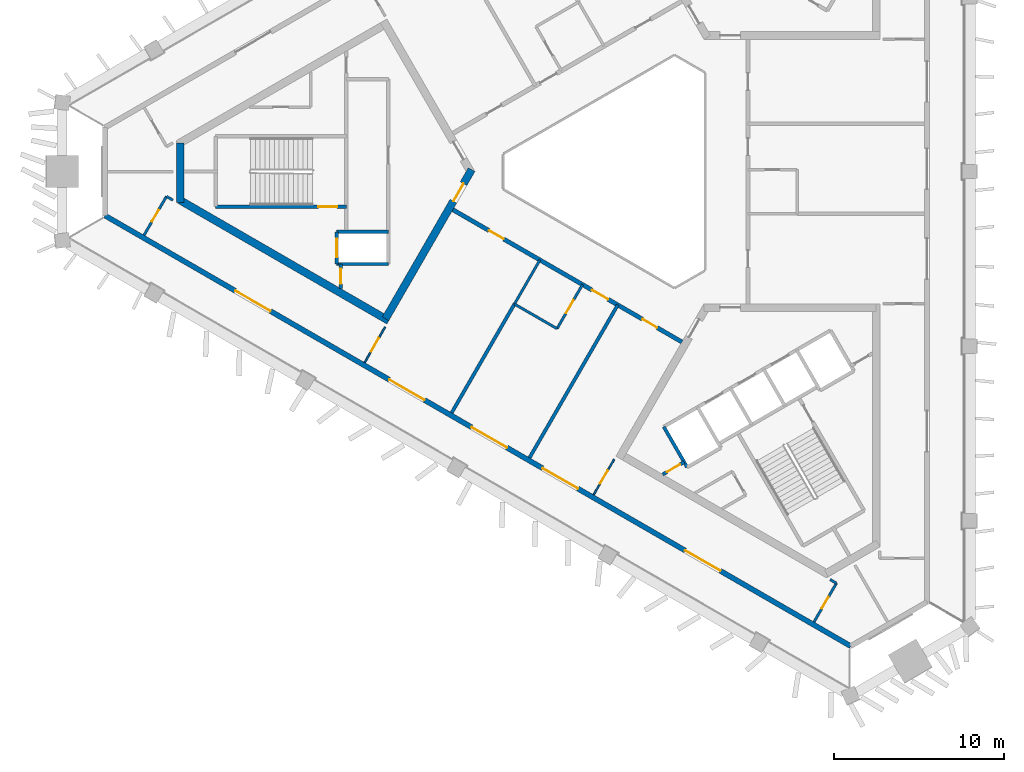
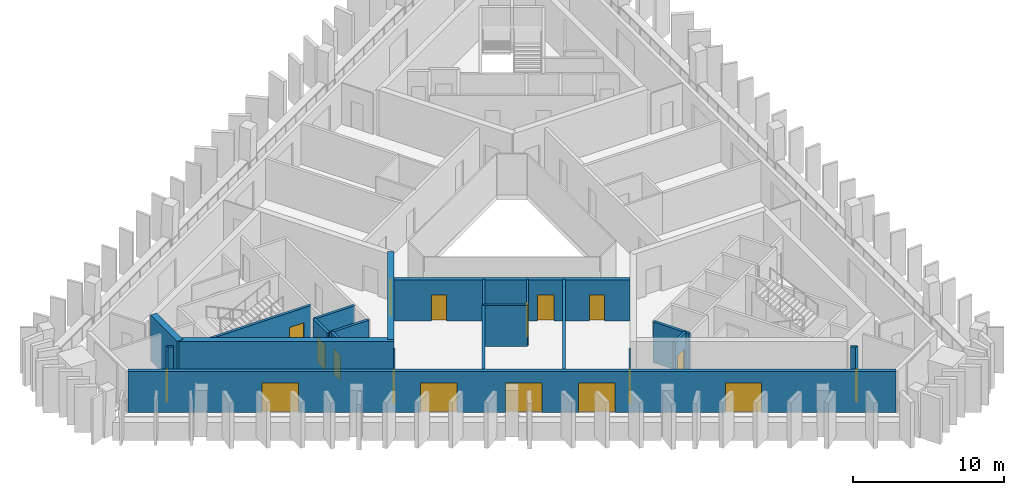
# One storey, part 2 of 9: 23 walls, 18 doors, 18 openings.
"""IFC4 building model written with IfcOpenShell, lengths in metres."""

from ifc_helpers import new_model, si_unit, direction, frame, frame_2d, origin, place, context, subcontext, project, spatial, rectangle, extrude, material, layer, layer_set, type_object, element, fill, save


model = new_model("IFC4")

# Units and contexts
model_context = context("Model", 3, precision=1e-05, world=origin(), true_north=direction((0.0, 1.0)))
body_context = subcontext(model_context, "Body", "Model", "MODEL_VIEW")
ifc_project = project(units=[si_unit("LENGTHUNIT", "METRE"), si_unit("AREAUNIT", "SQUARE_METRE"), si_unit("VOLUMEUNIT", "CUBIC_METRE"), si_unit("PLANEANGLEUNIT", "RADIAN"), si_unit("MASSUNIT", "GRAM", prefix="KILO")], contexts=[model_context])

# Site, building, storey
site_placement = place(None, origin())
site = spatial("IfcSite", under=ifc_project, at=site_placement, CompositionType="ELEMENT")
building_placement = place(site_placement, origin())
building = spatial("IfcBuilding", under=site, at=building_placement, Name="Jabali Bay Hotel Tower and Convention Centre", CompositionType="ELEMENT")
storey_placement = place(building_placement, frame((0.0, 0.0, 220.60009765625)))
storey = spatial("IfcBuildingStorey", under=building, at=storey_placement, Name="L54", CompositionType="ELEMENT", Elevation=220.60009765625)

# Wall, opening, door
ifc_material_1 = material(Name="Concrete C40", Category="concrete")
ifc_layer_1 = layer(ifc_material_1, 0.199951171875)
ifc_layer_set_1 = layer_set([ifc_layer_1], Name="Concrete C40")
wall_type_1 = type_object("IfcWallType", Name="Core partition wall 200", PredefinedType="PARTITIONING", material=ifc_layer_set_1)
wall_1_placement = place(storey_placement, frame((58.10009765625, 74.550048828125, 0.0), z_axis=(0.0, 0.0, 1.0), x_axis=(0.0, -1.0, 0.0)))
wall_1 = element("IfcWall", 1, at=wall_1_placement, inside=storey, type_object=wall_type_1, Name="Core wall 0.9 L54", PredefinedType="PARTITIONING", context=body_context, shape_type="SweptSolid", body=[
    extrude(rectangle(XDim=1.455078125, YDim=0.199951171875, at=frame_2d((0.7275390625, 0.0))), origin(), (0.0, 0.0, 1.0), 3.2998046875),
])
opening_1_placement = place(wall_1_placement, frame((0.277587890625, 0.0, 0.0)))
opening_1 = element("IfcOpeningElement", 2, at=opening_1_placement, cuts=wall_1, Name="Opening D1167", PredefinedType="OPENING", context=body_context, shape_type="SweptSolid", body=[
    extrude(rectangle(XDim=0.89990234375, YDim=2.10009765625, at=frame_2d((0.449951171875, 1.050048828125))), frame((0.0, 0.1103515625, 0.0), z_axis=(0.0, -1.0, 0.0), x_axis=(1.0, 0.0, 0.0)), (0.0, 0.0, 1.0), 0.220947265625),
])
ifc_material_2 = material(Name="Fire-rated steel door", Category="steel")
door_type_1 = type_object("IfcDoorType", Name="Vestibule fire door 900 x 2100", OperationType="NOTDEFINED", PredefinedType="NOTDEFINED", material=ifc_material_2)
door_1_placement = place(opening_1_placement, origin())
door_1 = element("IfcDoor", 3, at=door_1_placement, inside=storey, type_object=door_type_1, Name="Vestibule fire door D1167", OperationType="SINGLE_SWING_LEFT", OverallHeight=2.10009765625, OverallWidth=0.89990234375, PredefinedType="NOTDEFINED", context=body_context, shape_type="SweptSolid", body=[
    extrude(rectangle(XDim=0.89990234375, YDim=2.10009765625, at=frame_2d((0.449951171875, 1.050048828125))), frame((0.0, 0.02490234375, 0.0), z_axis=(0.0, -1.0, 0.0), x_axis=(1.0, 0.0, 0.0)), (0.0, 0.0, 1.0), 0.050048828125),
])
fill(opening_1, door_1)

wall_2_placement = place(storey_placement, frame((77.070068359375, 62.142578125, 0.0), z_axis=(0.0, 0.0, 1.0), x_axis=(0.866013036001, 0.500021421018, 0.0)))
wall_2 = element("IfcWall", 4, at=wall_2_placement, inside=storey, type_object=wall_type_1, Name="Core wall 2.11 L54", PredefinedType="PARTITIONING", context=body_context, shape_type="SweptSolid", body=[
    extrude(rectangle(XDim=1.4609375, YDim=0.199951171875, at=frame_2d((0.73046875, 0.0))), origin(), (0.0, 0.0, 1.0), 3.2998046875),
])
opening_2_placement = place(wall_2_placement, frame((0.280517578125, 0.0, 0.0)))
opening_2 = element("IfcOpeningElement", 5, at=opening_2_placement, cuts=wall_2, Name="Opening D1184", PredefinedType="OPENING", context=body_context, shape_type="SweptSolid", body=[
    extrude(rectangle(XDim=0.89990234375, YDim=2.10009765625, at=frame_2d((0.449951171875, 1.050048828125))), frame((0.0, 0.1103515625, 0.0), z_axis=(0.0, -1.0, 0.0), x_axis=(1.0, 0.0, 0.0)), (0.0, 0.0, 1.0), 0.220947265625),
])
door_2_placement = place(opening_2_placement, origin())
door_2 = element("IfcDoor", 6, at=door_2_placement, inside=storey, type_object=door_type_1, Name="Vestibule fire door D1184", OperationType="SINGLE_SWING_LEFT", OverallHeight=2.10009765625, OverallWidth=0.89990234375, PredefinedType="NOTDEFINED", context=body_context, shape_type="SweptSolid", body=[
    extrude(rectangle(XDim=0.89990234375, YDim=2.10009765625, at=frame_2d((0.449951171875, 1.050048828125))), frame((0.0, 0.02490234375, 0.0), z_axis=(0.0, -1.0, 0.0), x_axis=(1.0, 0.0, 0.0)), (0.0, 0.0, 1.0), 0.050048828125),
])
fill(opening_2, door_2)

ifc_layer_2 = layer(ifc_material_1, 0.199951171875)
ifc_layer_set_2 = layer_set([ifc_layer_2], Name="Concrete C40")
wall_type_2 = type_object("IfcWallType", Name="Core stair wall 200", PredefinedType="SOLIDWALL", material=ifc_layer_set_2)
wall_3_placement = place(storey_placement, frame((58.419921875, 77.925048828125, 0.0), z_axis=(0.0, 0.0, 1.0), x_axis=(-1.0, 0.0, 0.0)))
wall_3 = element("IfcWall", 7, at=wall_3_placement, inside=storey, type_object=wall_type_2, Name="Core wall 0.4 L54", PredefinedType="SOLIDWALL", context=body_context, shape_type="SweptSolid", body=[
    extrude(rectangle(XDim=7.699951171875, YDim=0.199951171875, at=frame_2d((3.85009765625, 0.0))), origin(), (0.0, 0.0, 1.0), 3.2998046875),
])
opening_3_placement = place(wall_3_placement, frame((0.550048828125, 0.0, 0.0)))
opening_3 = element("IfcOpeningElement", 8, at=opening_3_placement, cuts=wall_3, Name="Opening D1169", PredefinedType="OPENING", context=body_context, shape_type="SweptSolid", body=[
    extrude(rectangle(XDim=1.10009765625, YDim=2.10009765625, at=frame_2d((0.550048828125, 1.050048828125))), frame((0.0, 0.1103515625, 0.0), z_axis=(0.0, -1.0, 0.0), x_axis=(1.0, 0.0, 0.0)), (0.0, 0.0, 1.0), 0.220947265625),
])
door_type_2 = type_object("IfcDoorType", Name="Stair fire door 1100 x 2100", OperationType="NOTDEFINED", PredefinedType="NOTDEFINED", material=ifc_material_2)
door_3_placement = place(opening_3_placement, origin())
door_3 = element("IfcDoor", 9, at=door_3_placement, inside=storey, type_object=door_type_2, Name="Stair fire door D1169", OperationType="SINGLE_SWING_RIGHT", OverallHeight=2.10009765625, OverallWidth=1.10009765625, PredefinedType="NOTDEFINED", context=body_context, shape_type="SweptSolid", body=[
    extrude(rectangle(XDim=1.10009765625, YDim=2.10009765625, at=frame_2d((0.550048828125, 1.050048828125))), frame((0.0, 0.02490234375, 0.0), z_axis=(0.0, -1.0, 0.0), x_axis=(1.0, 0.0, 0.0)), (0.0, 0.0, 1.0), 0.050048828125),
])
fill(opening_3, door_3)

# Walls
for number, where, z_axis, x_axis, name in (
    (10, (60.89990234375, 76.449951171875, 0.0), (0.0, 0.0, 1.0), (-1.0, 0.0, 0.0), "Core wall 0.5 L54"),
    (11, (60.89990234375, 74.550048828125, 0.0), (0.0, 0.0, 1.0), (-1.0, 0.0, 0.0), "Core wall 0.6 L54"),
):
    element("IfcWall", number, at=place(storey_placement, frame(where, z_axis=z_axis, x_axis=x_axis)), inside=storey, type_object=wall_type_2, Name=name, PredefinedType="SOLIDWALL", context=body_context, shape_type="SweptSolid", body=[
        extrude(rectangle(XDim=3.0498046875, YDim=0.199951171875, at=frame_2d((1.52490234375, 0.0))), origin(), (0.0, 0.0, 1.0), 3.2998046875),
    ])

# Wall, opening, door
wall_4_placement = place(storey_placement, frame((57.85009765625, 76.449951171875, 0.0), z_axis=(0.0, 0.0, 1.0), x_axis=(0.0, -1.0, 0.0)))
wall_4 = element("IfcWall", 12, at=wall_4_placement, inside=storey, type_object=wall_type_2, Name="Core wall 0.10 L54", PredefinedType="SOLIDWALL", context=body_context, shape_type="SweptSolid", body=[
    extrude(rectangle(XDim=1.89990234375, YDim=0.199951171875, at=frame_2d((0.949951171875, 0.0))), origin(), (0.0, 0.0, 1.0), 3.2998046875),
])
opening_4_placement = place(wall_4_placement, frame((0.39990234375, 0.0, 0.0)))
opening_4 = element("IfcOpeningElement", 13, at=opening_4_placement, cuts=wall_4, Name="Opening LD5-L54", PredefinedType="OPENING", context=body_context, shape_type="SweptSolid", body=[
    extrude(rectangle(XDim=1.10009765625, YDim=2.10009765625, at=frame_2d((0.550048828125, 1.050048828125))), frame((0.0, 0.1103515625, 0.0), z_axis=(0.0, -1.0, 0.0), x_axis=(1.0, 0.0, 0.0)), (0.0, 0.0, 1.0), 0.220947265625),
])
ifc_material_3 = material(Name="Stainless steel landing door", Category="steel")
door_type_3 = type_object("IfcDoorType", Name="Landing door 1100 x 2100", OperationType="NOTDEFINED", PredefinedType="NOTDEFINED", material=ifc_material_3)
door_4_placement = place(opening_4_placement, origin())
door_4 = element("IfcDoor", 14, at=door_4_placement, inside=storey, type_object=door_type_3, Name="Landing doors LD5-L54", OperationType="SLIDING_TO_RIGHT", OverallHeight=2.10009765625, OverallWidth=1.10009765625, PredefinedType="NOTDEFINED", context=body_context, shape_type="SweptSolid", body=[
    extrude(rectangle(XDim=1.10009765625, YDim=2.10009765625, at=frame_2d((0.550048828125, 1.050048828125))), frame((0.0, 0.02490234375, 0.0), z_axis=(0.0, -1.0, 0.0), x_axis=(1.0, 0.0, 0.0)), (0.0, 0.0, 1.0), 0.050048828125),
])
fill(opening_4, door_4)

# Walls
wall_5_placement = place(storey_placement, frame((77.13525390625, 64.95166015625, 0.0), z_axis=(0.0, 0.0, 1.0), x_axis=(0.499996545922, -0.866027397988, 0.0)))
element("IfcWall", 15, at=wall_5_placement, inside=storey, type_object=wall_type_2, Name="Core wall 2.0 L54", PredefinedType="SOLIDWALL", context=body_context, shape_type="SweptSolid", body=[
    extrude(rectangle(XDim=2.75, YDim=0.199951171875, at=frame_2d((1.375, 0.0))), origin(), (0.0, 0.0, 1.0), 3.2998046875),
])
ifc_material_4 = material(Name="Concrete C60", Category="concrete")
ifc_layer_3 = layer(ifc_material_4, 0.449951171875)
ifc_layer_set_3 = layer_set([ifc_layer_3], Name="Concrete C60")
wall_type_3 = type_object("IfcWallType", Name="Core wall 450", PredefinedType="SHEAR", material=ifc_layer_set_3)
wall_6_placement = place(storey_placement, frame((48.621826171875, 81.692626953125, 0.0), z_axis=(0.0, 0.0, 1.0), x_axis=(0.0, -1.0, 0.0)))
element("IfcWall", 16, at=wall_6_placement, inside=storey, type_object=wall_type_3, Name="Core wall 1.3 L54", PredefinedType="SHEAR", context=body_context, shape_type="SweptSolid", body=[
    extrude(rectangle(XDim=3.515380859375, YDim=0.449951171875, at=frame_2d((1.7578125, 0.0))), origin(), (0.0, 0.0, 1.0), 3.699951171875),
])
wall_7_placement = place(storey_placement, frame((48.621826171875, 78.307373046875, 0.0), z_axis=(0.0, 0.0, 1.0), x_axis=(0.86602701116, -0.499997215934, 0.0)))
element("IfcWall", 17, at=wall_7_placement, inside=storey, type_object=wall_type_3, Name="Core wall 1.4 L54", PredefinedType="SHEAR", context=body_context, shape_type="SweptSolid", body=[
    extrude(rectangle(XDim=14.20361328125, YDim=0.449951171875, at=frame_2d((7.101806640625, 0.0))), origin(), (0.0, 0.0, 1.0), 3.699951171875),
])

# Wall, opening, door
wall_8_placement = place(storey_placement, frame((60.7275390625, 71.318115234375, 0.0), z_axis=(0.0, 0.0, 1.0), x_axis=(0.500012416173, 0.866018235185, 0.0)))
wall_8 = element("IfcWall", 18, at=wall_8_placement, inside=storey, type_object=wall_type_3, Name="Core wall 1.5 L54", PredefinedType="SHEAR", context=body_context, shape_type="SweptSolid", body=[
    extrude(rectangle(XDim=10.155029296875, YDim=0.449951171875, at=frame_2d((5.07763671875, 0.0))), origin(), (0.0, 0.0, 1.0), 3.699951171875),
])
opening_5_placement = place(wall_8_placement, frame((8.0048828125, 0.0, 0.0)))
opening_5 = element("IfcOpeningElement", 19, at=opening_5_placement, cuts=wall_8, Name="Opening D1165", PredefinedType="OPENING", context=body_context, shape_type="SweptSolid", body=[
    extrude(rectangle(XDim=1.199951171875, YDim=2.10009765625, at=frame_2d((0.60009765625, 1.050048828125))), frame((0.0, 0.2353515625, 0.0), z_axis=(0.0, -1.0, 0.0), x_axis=(1.0, 0.0, 0.0)), (0.0, 0.0, 1.0), 0.470947265625),
])
door_type_4 = type_object("IfcDoorType", Name="Corridor end fire door 1200 x 2100", OperationType="NOTDEFINED", PredefinedType="NOTDEFINED", material=ifc_material_2)
door_5_placement = place(opening_5_placement, origin())
door_5 = element("IfcDoor", 20, at=door_5_placement, inside=storey, type_object=door_type_4, Name="Corridor end fire door D1165", OperationType="SINGLE_SWING_LEFT", OverallHeight=2.10009765625, OverallWidth=1.199951171875, PredefinedType="NOTDEFINED", context=body_context, shape_type="SweptSolid", body=[
    extrude(rectangle(XDim=1.199951171875, YDim=2.10009765625, at=frame_2d((0.60009765625, 1.050048828125))), frame((0.0, 0.02490234375, 0.0), z_axis=(0.0, -1.0, 0.0), x_axis=(1.0, 0.0, 0.0)), (0.0, 0.0, 1.0), 0.050048828125),
])
fill(opening_5, door_5)

# Wall, openings, doors
ifc_layer_4 = layer(ifc_material_4, 0.25)
ifc_layer_set_4 = layer_set([ifc_layer_4], Name="Concrete C60")
wall_type_4 = type_object("IfcWallType", Name="Corridor wall 250", PredefinedType="SHEAR", material=ifc_layer_set_4)
wall_9_placement = place(storey_placement, frame((64.699951171875, 77.748291015625, 0.0), z_axis=(0.0, 0.0, 1.0), x_axis=(0.866026492143, -0.499998114903, 0.0)))
wall_9 = element("IfcWall", 21, at=wall_9_placement, inside=storey, type_object=wall_type_4, Name="Corridor wall 3 L54", PredefinedType="SHEAR", context=body_context, shape_type="SweptSolid", body=[
    extrude(rectangle(XDim=15.58837890625, YDim=0.25, at=frame_2d((7.794189453125, 0.0))), origin(), (0.0, 0.0, 1.0), 3.2998046875),
])
opening_6_placement = place(wall_9_placement, frame((2.4619140625, 0.0, 0.0)))
opening_6 = element("IfcOpeningElement", 22, at=opening_6_placement, cuts=wall_9, Name="Opening 5417", PredefinedType="OPENING", context=body_context, shape_type="SweptSolid", body=[
    extrude(rectangle(XDim=1.0, YDim=2.10009765625, at=frame_2d((0.5, 1.050048828125))), frame((0.0, 0.135498046875, 0.0), z_axis=(0.0, -1.0, 0.0), x_axis=(1.0, 0.0, 0.0)), (0.0, 0.0, 1.0), 0.27099609375),
])
opening_7_placement = place(wall_9_placement, frame((9.4736328125, 0.0, 0.0)))
opening_7 = element("IfcOpeningElement", 23, at=opening_7_placement, cuts=wall_9, Name="Opening 5421", PredefinedType="OPENING", context=body_context, shape_type="SweptSolid", body=[
    extrude(rectangle(XDim=1.10009765625, YDim=2.10009765625, at=frame_2d((0.550048828125, 1.050048828125))), frame((0.0, 0.135498046875, 0.0), z_axis=(0.0, -1.0, 0.0), x_axis=(1.0, 0.0, 0.0)), (0.0, 0.0, 1.0), 0.27099609375),
])
opening_8_placement = place(wall_9_placement, frame((12.906005859375, 0.0, 0.0)))
opening_8 = element("IfcOpeningElement", 24, at=opening_8_placement, cuts=wall_9, Name="Opening 5422", PredefinedType="OPENING", context=body_context, shape_type="SweptSolid", body=[
    extrude(rectangle(XDim=1.0, YDim=2.10009765625, at=frame_2d((0.5, 1.050048828125))), frame((0.0, 0.135498046875, 0.0), z_axis=(0.0, -1.0, 0.0), x_axis=(1.0, 0.0, 0.0)), (0.0, 0.0, 1.0), 0.27099609375),
])
ifc_material_5 = material(Name="Timber", Category="wood")
door_type_5 = type_object("IfcDoorType", Name="Accessible guest room door 1100 x 2100", OperationType="NOTDEFINED", PredefinedType="NOTDEFINED", material=ifc_material_5)
door_6_placement = place(opening_7_placement, origin())
door_6 = element("IfcDoor", 25, at=door_6_placement, inside=storey, type_object=door_type_5, Name="Door 5421", OperationType="SINGLE_SWING_RIGHT", OverallHeight=2.10009765625, OverallWidth=1.10009765625, PredefinedType="NOTDEFINED", context=body_context, shape_type="SweptSolid", body=[
    extrude(rectangle(XDim=1.10009765625, YDim=2.10009765625, at=frame_2d((0.550048828125, 1.050048828125))), frame((0.0, 0.02490234375, 0.0), z_axis=(0.0, -1.0, 0.0), x_axis=(1.0, 0.0, 0.0)), (0.0, 0.0, 1.0), 0.050048828125),
])
fill(opening_7, door_6)
door_type_6 = type_object("IfcDoorType", Name="Guest room door 1000 x 2100", OperationType="NOTDEFINED", PredefinedType="NOTDEFINED", material=ifc_material_5)
door_7_placement = place(opening_6_placement, origin())
door_7 = element("IfcDoor", 26, at=door_7_placement, inside=storey, type_object=door_type_6, Name="Door 5417", OperationType="SINGLE_SWING_LEFT", OverallHeight=2.10009765625, OverallWidth=1.0, PredefinedType="NOTDEFINED", context=body_context, shape_type="SweptSolid", body=[
    extrude(rectangle(XDim=1.0, YDim=2.10009765625, at=frame_2d((0.5, 1.050048828125))), frame((0.0, 0.02490234375, 0.0), z_axis=(0.0, -1.0, 0.0), x_axis=(1.0, 0.0, 0.0)), (0.0, 0.0, 1.0), 0.050048828125),
])
fill(opening_6, door_7)
door_8_placement = place(opening_8_placement, origin())
door_8 = element("IfcDoor", 27, at=door_8_placement, inside=storey, type_object=door_type_6, Name="Door 5422", OperationType="SINGLE_SWING_RIGHT", OverallHeight=2.10009765625, OverallWidth=1.0, PredefinedType="NOTDEFINED", context=body_context, shape_type="SweptSolid", body=[
    extrude(rectangle(XDim=1.0, YDim=2.10009765625, at=frame_2d((0.5, 1.050048828125))), frame((0.0, 0.02490234375, 0.0), z_axis=(0.0, -1.0, 0.0), x_axis=(1.0, 0.0, 0.0)), (0.0, 0.0, 1.0), 0.050048828125),
])
fill(opening_8, door_8)

ifc_layer_5 = layer(ifc_material_1, 0.300048828125)
ifc_layer_set_5 = layer_set([ifc_layer_5], Name="Concrete C40")
wall_type_5 = type_object("IfcWallType", Name="External wall 300", PredefinedType="SOLIDWALL", material=ifc_layer_set_5)
wall_10_placement = place(storey_placement, frame((88.154541015625, 52.0224609375, 0.0), z_axis=(0.0, 0.0, 1.0), x_axis=(-0.866024521231, 0.500001528624, 0.0)))
wall_10 = element("IfcWall", 28, at=wall_10_placement, inside=storey, type_object=wall_type_5, Name="External wall south-west face L54", PredefinedType="SOLIDWALL", context=body_context, shape_type="SweptSolid", body=[
    extrude(rectangle(XDim=50.761962890625, YDim=0.300048828125, at=frame_2d((25.380859375, 0.0))), origin(), (0.0, 0.0, 1.0), 3.2998046875),
])
opening_9_placement = place(wall_10_placement, frame((23.401611328125, 0.0, 0.0)))
opening_9 = element("IfcOpeningElement", 29, at=opening_9_placement, cuts=wall_10, Name="Opening SD1", PredefinedType="OPENING", context=body_context, shape_type="SweptSolid", body=[
    extrude(rectangle(XDim=2.39990234375, YDim=2.39990234375, at=frame_2d((1.199951171875, 1.199951171875))), frame((0.0, 0.16064453125, 0.0), z_axis=(0.0, -1.0, 0.0), x_axis=(1.0, 0.0, 0.0)), (0.0, 0.0, 1.0), 0.321044921875),
])
opening_10_placement = place(wall_10_placement, frame((29.013427734375, 0.0, 0.0)))
opening_10 = element("IfcOpeningElement", 30, at=opening_10_placement, cuts=wall_10, Name="Opening SD1", PredefinedType="OPENING", context=body_context, shape_type="SweptSolid", body=[
    extrude(rectangle(XDim=2.39990234375, YDim=2.39990234375, at=frame_2d((1.199951171875, 1.199951171875))), frame((0.0, 0.16064453125, 0.0), z_axis=(0.0, -1.0, 0.0), x_axis=(1.0, 0.0, 0.0)), (0.0, 0.0, 1.0), 0.321044921875),
])
opening_11_placement = place(wall_10_placement, frame((39.491943359375, 0.0, 0.0)))
opening_11 = element("IfcOpeningElement", 31, at=opening_11_placement, cuts=wall_10, Name="Opening SD1", PredefinedType="OPENING", context=body_context, shape_type="SweptSolid", body=[
    extrude(rectangle(XDim=2.39990234375, YDim=2.39990234375, at=frame_2d((1.199951171875, 1.199951171875))), frame((0.0, 0.16064453125, 0.0), z_axis=(0.0, -1.0, 0.0), x_axis=(1.0, 0.0, 0.0)), (0.0, 0.0, 1.0), 0.321044921875),
])
opening_12_placement = place(wall_10_placement, frame((18.5693359375, 0.0, 0.0)))
opening_12 = element("IfcOpeningElement", 32, at=opening_12_placement, cuts=wall_10, Name="Opening SD1", PredefinedType="OPENING", context=body_context, shape_type="SweptSolid", body=[
    extrude(rectangle(XDim=2.39990234375, YDim=2.39990234375, at=frame_2d((1.199951171875, 1.199951171875))), frame((0.0, 0.16064453125, 0.0), z_axis=(0.0, -1.0, 0.0), x_axis=(1.0, 0.0, 0.0)), (0.0, 0.0, 1.0), 0.321044921875),
])
opening_13_placement = place(wall_10_placement, frame((8.8779296875, 0.0, 0.0)))
opening_13 = element("IfcOpeningElement", 33, at=opening_13_placement, cuts=wall_10, Name="Opening SD1", PredefinedType="OPENING", context=body_context, shape_type="SweptSolid", body=[
    extrude(rectangle(XDim=2.39990234375, YDim=2.39990234375, at=frame_2d((1.199951171875, 1.199951171875))), frame((0.0, 0.16064453125, 0.0), z_axis=(0.0, -1.0, 0.0), x_axis=(1.0, 0.0, 0.0)), (0.0, 0.0, 1.0), 0.321044921875),
])
ifc_material_6 = material(Name="Glass", Category="glass")
door_type_7 = type_object("IfcDoorType", Name="Loggia sliding door 2400 x 2400", OperationType="NOTDEFINED", PredefinedType="NOTDEFINED", material=ifc_material_6)
door_9_placement = place(opening_9_placement, origin())
door_9 = element("IfcDoor", 34, at=door_9_placement, inside=storey, type_object=door_type_7, Name="Loggia sliding door 5408", OperationType="SLIDING_TO_LEFT", OverallHeight=2.39990234375, OverallWidth=2.39990234375, PredefinedType="NOTDEFINED", context=body_context, shape_type="SweptSolid", body=[
    extrude(rectangle(XDim=2.39990234375, YDim=2.39990234375, at=frame_2d((1.199951171875, 1.199951171875))), frame((0.0, 0.02490234375, 0.0), z_axis=(0.0, -1.0, 0.0), x_axis=(1.0, 0.0, 0.0)), (0.0, 0.0, 1.0), 0.050048828125),
])
fill(opening_9, door_9)
door_10_placement = place(opening_10_placement, origin())
door_10 = element("IfcDoor", 35, at=door_10_placement, inside=storey, type_object=door_type_7, Name="Loggia sliding door 5407", OperationType="SLIDING_TO_RIGHT", OverallHeight=2.39990234375, OverallWidth=2.39990234375, PredefinedType="NOTDEFINED", context=body_context, shape_type="SweptSolid", body=[
    extrude(rectangle(XDim=2.39990234375, YDim=2.39990234375, at=frame_2d((1.199951171875, 1.199951171875))), frame((0.0, 0.02490234375, 0.0), z_axis=(0.0, -1.0, 0.0), x_axis=(1.0, 0.0, 0.0)), (0.0, 0.0, 1.0), 0.050048828125),
])
fill(opening_10, door_10)
door_11_placement = place(opening_11_placement, origin())
door_11 = element("IfcDoor", 36, at=door_11_placement, inside=storey, type_object=door_type_7, Name="Loggia sliding door 5407", OperationType="SLIDING_TO_LEFT", OverallHeight=2.39990234375, OverallWidth=2.39990234375, PredefinedType="NOTDEFINED", context=body_context, shape_type="SweptSolid", body=[
    extrude(rectangle(XDim=2.39990234375, YDim=2.39990234375, at=frame_2d((1.199951171875, 1.199951171875))), frame((0.0, 0.02490234375, 0.0), z_axis=(0.0, -1.0, 0.0), x_axis=(1.0, 0.0, 0.0)), (0.0, 0.0, 1.0), 0.050048828125),
])
fill(opening_11, door_11)
door_12_placement = place(opening_12_placement, origin())
door_12 = element("IfcDoor", 37, at=door_12_placement, inside=storey, type_object=door_type_7, Name="Loggia sliding door 5409", OperationType="SLIDING_TO_RIGHT", OverallHeight=2.39990234375, OverallWidth=2.39990234375, PredefinedType="NOTDEFINED", context=body_context, shape_type="SweptSolid", body=[
    extrude(rectangle(XDim=2.39990234375, YDim=2.39990234375, at=frame_2d((1.199951171875, 1.199951171875))), frame((0.0, 0.02490234375, 0.0), z_axis=(0.0, -1.0, 0.0), x_axis=(1.0, 0.0, 0.0)), (0.0, 0.0, 1.0), 0.050048828125),
])
fill(opening_12, door_12)
door_13_placement = place(opening_13_placement, origin())
door_13 = element("IfcDoor", 38, at=door_13_placement, inside=storey, type_object=door_type_7, Name="Loggia sliding door 5409", OperationType="SLIDING_TO_LEFT", OverallHeight=2.39990234375, OverallWidth=2.39990234375, PredefinedType="NOTDEFINED", context=body_context, shape_type="SweptSolid", body=[
    extrude(rectangle(XDim=2.39990234375, YDim=2.39990234375, at=frame_2d((1.199951171875, 1.199951171875))), frame((0.0, 0.02490234375, 0.0), z_axis=(0.0, -1.0, 0.0), x_axis=(1.0, 0.0, 0.0)), (0.0, 0.0, 1.0), 0.050048828125),
])
fill(opening_13, door_13)

# Wall, opening, door
ifc_material_7 = material(Name="Plasterboard on steel stud", Category="steel")
ifc_layer_6 = layer(ifc_material_7, 0.10009765625)
ifc_layer_set_6 = layer_set([ifc_layer_6], Name="Plasterboard on steel stud")
wall_type_6 = type_object("IfcWallType", Name="Partition 100 unit", PredefinedType="PARTITIONING", material=ifc_layer_set_6)
wall_11_placement = place(storey_placement, frame((60.71044921875, 70.83837890625, 0.0), z_axis=(0.0, 0.0, 1.0), x_axis=(-0.49995203611, -0.866053093978, 0.0)))
wall_11 = element("IfcWall", 39, at=wall_11_placement, inside=storey, type_object=wall_type_6, Name="Partition P02 L54 026", PredefinedType="PARTITIONING", context=body_context, shape_type="SweptSolid", body=[
    extrude(rectangle(XDim=2.424072265625, YDim=0.10009765625, at=frame_2d((1.2119140625, 0.0))), origin(), (0.0, 0.0, 1.0), 3.2998046875),
])
opening_14_placement = place(wall_11_placement, frame((0.761962890625, 0.0, 0.0)))
opening_14 = element("IfcOpeningElement", 40, at=opening_14_placement, cuts=wall_11, Name="Opening 5418", PredefinedType="OPENING", context=body_context, shape_type="SweptSolid", body=[
    extrude(rectangle(XDim=0.89990234375, YDim=2.10009765625, at=frame_2d((0.449951171875, 1.050048828125))), frame((0.0, 0.060546875, 0.0), z_axis=(0.0, -1.0, 0.0), x_axis=(1.0, 0.0, 0.0)), (0.0, 0.0, 1.0), 0.12109375),
])
door_type_8 = type_object("IfcDoorType", Name="Internal door 900 x 2100", OperationType="NOTDEFINED", PredefinedType="NOTDEFINED", material=ifc_material_5)
door_14_placement = place(opening_14_placement, origin())
door_14 = element("IfcDoor", 41, at=door_14_placement, inside=storey, type_object=door_type_8, Name="Door 5418", OperationType="SINGLE_SWING_RIGHT", OverallHeight=2.10009765625, OverallWidth=0.89990234375, PredefinedType="NOTDEFINED", context=body_context, shape_type="SweptSolid", body=[
    extrude(rectangle(XDim=0.89990234375, YDim=2.10009765625, at=frame_2d((0.449951171875, 1.050048828125))), frame((0.0, 0.02490234375, 0.0), z_axis=(0.0, -1.0, 0.0), x_axis=(1.0, 0.0, 0.0)), (0.0, 0.0, 1.0), 0.050048828125),
])
fill(opening_14, door_14)

wall_12_placement = place(storey_placement, frame((72.99853515625, 60.94482421875, 0.0), z_axis=(0.0, 0.0, 1.0), x_axis=(0.49995203611, 0.866053093978, 0.0)))
wall_12 = element("IfcWall", 42, at=wall_12_placement, inside=storey, type_object=wall_type_6, Name="Partition P02 L54 034", PredefinedType="PARTITIONING", context=body_context, shape_type="SweptSolid", body=[
    extrude(rectangle(XDim=2.424072265625, YDim=0.10009765625, at=frame_2d((1.2119140625, 0.0))), origin(), (0.0, 0.0, 1.0), 3.2998046875),
])
opening_15_placement = place(wall_12_placement, frame((0.761962890625, 0.0, 0.0)))
opening_15 = element("IfcOpeningElement", 43, at=opening_15_placement, cuts=wall_12, Name="Opening 5423", PredefinedType="OPENING", context=body_context, shape_type="SweptSolid", body=[
    extrude(rectangle(XDim=0.89990234375, YDim=2.10009765625, at=frame_2d((0.449951171875, 1.050048828125))), frame((0.0, 0.060546875, 0.0), z_axis=(0.0, -1.0, 0.0), x_axis=(1.0, 0.0, 0.0)), (0.0, 0.0, 1.0), 0.12109375),
])
door_15_placement = place(opening_15_placement, origin())
door_15 = element("IfcDoor", 44, at=door_15_placement, inside=storey, type_object=door_type_8, Name="Door 5423", OperationType="SINGLE_SWING_RIGHT", OverallHeight=2.10009765625, OverallWidth=0.89990234375, PredefinedType="NOTDEFINED", context=body_context, shape_type="SweptSolid", body=[
    extrude(rectangle(XDim=0.89990234375, YDim=2.10009765625, at=frame_2d((0.449951171875, 1.050048828125))), frame((0.0, 0.02490234375, 0.0), z_axis=(0.0, -1.0, 0.0), x_axis=(1.0, 0.0, 0.0)), (0.0, 0.0, 1.0), 0.050048828125),
])
fill(opening_15, door_15)

# Walls
ifc_layer_7 = layer(ifc_material_7, 0.14990234375)
ifc_layer_set_7 = layer_set([ifc_layer_7], Name="Plasterboard on steel stud")
wall_type_7 = type_object("IfcWallType", Name="Partition 150 wet", PredefinedType="PARTITIONING", material=ifc_layer_set_7)
wall_13_placement = place(storey_placement, frame((68.330078125, 72.1884765625, 0.0), z_axis=(0.0, 0.0, 1.0), x_axis=(0.499990139034, 0.866031096941, 0.0)))
element("IfcWall", 45, at=wall_13_placement, inside=storey, type_object=wall_type_7, Name="Partition P03 L54 028", PredefinedType="PARTITIONING", context=body_context, shape_type="SweptSolid", body=[
    extrude(rectangle(XDim=3.0, YDim=0.14990234375, at=frame_2d((1.5, 0.0))), origin(), (0.0, 0.0, 1.0), 3.2998046875),
])
wall_14_placement = place(storey_placement, frame((48.197998046875, 78.314208984375, 0.0), z_axis=(0.0, 0.0, 1.0), x_axis=(-0.866019606374, 0.500010041276, 0.0)))
element("IfcWall", 46, at=wall_14_placement, inside=storey, type_object=wall_type_7, Name="Partition P03 L54 029", PredefinedType="PARTITIONING", context=body_context, shape_type="SweptSolid", body=[
    extrude(rectangle(XDim=0.44091796875, YDim=0.14990234375, at=frame_2d((0.220458984375, 0.0))), origin(), (0.0, 0.0, 1.0), 3.2998046875),
])

# Wall, opening, door
wall_15_placement = place(storey_placement, frame((47.816162109375, 78.53466796875, 0.0), z_axis=(0.0, 0.0, 1.0), x_axis=(-0.50000507839, -0.866022471755, 0.0)))
wall_15 = element("IfcWall", 47, at=wall_15_placement, inside=storey, type_object=wall_type_7, Name="Partition P03 L54 030", PredefinedType="PARTITIONING", context=body_context, shape_type="SweptSolid", body=[
    extrude(rectangle(XDim=2.64208984375, YDim=0.14990234375, at=frame_2d((1.321044921875, 0.0))), origin(), (0.0, 0.0, 1.0), 3.2998046875),
])
opening_16_placement = place(wall_15_placement, frame((0.9208984375, 0.0, 0.0)))
opening_16 = element("IfcOpeningElement", 48, at=opening_16_placement, cuts=wall_15, Name="Opening 5419", PredefinedType="OPENING", context=body_context, shape_type="SweptSolid", body=[
    extrude(rectangle(XDim=0.800048828125, YDim=2.10009765625, at=frame_2d((0.39990234375, 1.050048828125))), frame((0.0, 0.08544921875, 0.0), z_axis=(0.0, -1.0, 0.0), x_axis=(1.0, 0.0, 0.0)), (0.0, 0.0, 1.0), 0.1708984375),
])
door_type_9 = type_object("IfcDoorType", Name="En-suite door 800 x 2100", OperationType="NOTDEFINED", PredefinedType="NOTDEFINED", material=ifc_material_5)
door_16_placement = place(opening_16_placement, origin())
door_16 = element("IfcDoor", 49, at=door_16_placement, inside=storey, type_object=door_type_9, Name="Door 5419", OperationType="SINGLE_SWING_LEFT", OverallHeight=2.10009765625, OverallWidth=0.800048828125, PredefinedType="NOTDEFINED", context=body_context, shape_type="SweptSolid", body=[
    extrude(rectangle(XDim=0.800048828125, YDim=2.10009765625, at=frame_2d((0.39990234375, 1.050048828125))), frame((0.0, 0.02490234375, 0.0), z_axis=(0.0, -1.0, 0.0), x_axis=(1.0, 0.0, 0.0)), (0.0, 0.0, 1.0), 0.050048828125),
])
fill(opening_16, door_16)

wall_16_placement = place(storey_placement, frame((72.341552734375, 73.33642578125, 0.0), z_axis=(0.0, 0.0, 1.0), x_axis=(-0.50002537861, -0.866010750942, 0.0)))
wall_16 = element("IfcWall", 50, at=wall_16_placement, inside=storey, type_object=wall_type_7, Name="Partition P03 L54 031", PredefinedType="PARTITIONING", context=body_context, shape_type="SweptSolid", body=[
    extrude(rectangle(XDim=2.999755859375, YDim=0.14990234375, at=frame_2d((1.5, 0.0))), origin(), (0.0, 0.0, 1.0), 3.2998046875),
])
opening_17_placement = place(wall_16_placement, frame((1.050048828125, 0.0, 0.0)))
opening_17 = element("IfcOpeningElement", 51, at=opening_17_placement, cuts=wall_16, Name="Opening 5420", PredefinedType="OPENING", context=body_context, shape_type="SweptSolid", body=[
    extrude(rectangle(XDim=0.89990234375, YDim=2.10009765625, at=frame_2d((0.449951171875, 1.050048828125))), frame((0.0, 0.08544921875, 0.0), z_axis=(0.0, -1.0, 0.0), x_axis=(1.0, 0.0, 0.0)), (0.0, 0.0, 1.0), 0.1708984375),
])
door_type_10 = type_object("IfcDoorType", Name="Accessible en-suite door 900 x 2100", OperationType="NOTDEFINED", PredefinedType="NOTDEFINED", material=ifc_material_5)
door_17_placement = place(opening_17_placement, origin())
door_17 = element("IfcDoor", 52, at=door_17_placement, inside=storey, type_object=door_type_10, Name="Door 5420", OperationType="SINGLE_SWING_LEFT", OverallHeight=2.10009765625, OverallWidth=0.89990234375, PredefinedType="NOTDEFINED", context=body_context, shape_type="SweptSolid", body=[
    extrude(rectangle(XDim=0.89990234375, YDim=2.10009765625, at=frame_2d((0.449951171875, 1.050048828125))), frame((0.0, 0.02490234375, 0.0), z_axis=(0.0, -1.0, 0.0), x_axis=(1.0, 0.0, 0.0)), (0.0, 0.0, 1.0), 0.050048828125),
])
fill(opening_17, door_17)

# Wall
wall_17_placement = place(storey_placement, frame((70.841552734375, 70.738525390625, 0.0), z_axis=(0.0, 0.0, 1.0), x_axis=(-0.866032775405, 0.499987231761, 0.0)))
element("IfcWall", 53, at=wall_17_placement, inside=storey, type_object=wall_type_7, Name="Partition P03 L54 032", PredefinedType="PARTITIONING", context=body_context, shape_type="SweptSolid", body=[
    extrude(rectangle(XDim=2.89990234375, YDim=0.14990234375, at=frame_2d((1.449951171875, 0.0))), origin(), (0.0, 0.0, 1.0), 3.2998046875),
])

# Wall, opening, door
wall_18_placement = place(storey_placement, frame((85.98876953125, 53.44482421875, 0.0), z_axis=(0.0, 0.0, 1.0), x_axis=(0.50000507839, 0.866022471755, 0.0)))
wall_18 = element("IfcWall", 54, at=wall_18_placement, inside=storey, type_object=wall_type_7, Name="Partition P03 L54 035", PredefinedType="PARTITIONING", context=body_context, shape_type="SweptSolid", body=[
    extrude(rectangle(XDim=2.64208984375, YDim=0.14990234375, at=frame_2d((1.321044921875, 0.0))), origin(), (0.0, 0.0, 1.0), 3.2998046875),
])
opening_18_placement = place(wall_18_placement, frame((0.9208984375, 0.0, 0.0)))
opening_18 = element("IfcOpeningElement", 55, at=opening_18_placement, cuts=wall_18, Name="Opening 5424", PredefinedType="OPENING", context=body_context, shape_type="SweptSolid", body=[
    extrude(rectangle(XDim=0.800048828125, YDim=2.10009765625, at=frame_2d((0.39990234375, 1.050048828125))), frame((0.0, 0.08544921875, 0.0), z_axis=(0.0, -1.0, 0.0), x_axis=(1.0, 0.0, 0.0)), (0.0, 0.0, 1.0), 0.1708984375),
])
door_18_placement = place(opening_18_placement, origin())
door_18 = element("IfcDoor", 56, at=door_18_placement, inside=storey, type_object=door_type_9, Name="Door 5424", OperationType="SINGLE_SWING_LEFT", OverallHeight=2.10009765625, OverallWidth=0.800048828125, PredefinedType="NOTDEFINED", context=body_context, shape_type="SweptSolid", body=[
    extrude(rectangle(XDim=0.800048828125, YDim=2.10009765625, at=frame_2d((0.39990234375, 1.050048828125))), frame((0.0, 0.02490234375, 0.0), z_axis=(0.0, -1.0, 0.0), x_axis=(1.0, 0.0, 0.0)), (0.0, 0.0, 1.0), 0.050048828125),
])
fill(opening_18, door_18)

# Walls
wall_19_placement = place(storey_placement, frame((87.309814453125, 55.73291015625, 0.0), z_axis=(0.0, 0.0, 1.0), x_axis=(-0.8659754619, 0.500086491905, 0.0)))
element("IfcWall", 57, at=wall_19_placement, inside=storey, type_object=wall_type_7, Name="Partition P03 L54 036", PredefinedType="PARTITIONING", context=body_context, shape_type="SweptSolid", body=[
    extrude(rectangle(XDim=0.42578125, YDim=0.14990234375, at=frame_2d((0.212890625, 0.0))), origin(), (0.0, 0.0, 1.0), 3.2998046875),
])
ifc_layer_8 = layer(ifc_material_7, 0.199951171875)
ifc_layer_set_8 = layer_set([ifc_layer_8], Name="Plasterboard on steel stud")
wall_type_8 = type_object("IfcWallType", Name="Partition 200 party", PredefinedType="PARTITIONING", material=ifc_layer_set_8)
wall_20_placement = place(storey_placement, frame((64.62841796875, 65.77734375, 0.0), z_axis=(0.0, 0.0, 1.0), x_axis=(0.500019340035, 0.866014237522, 0.0)))
element("IfcWall", 58, at=wall_20_placement, inside=storey, type_object=wall_type_8, Name="Partition P01 L54 027", PredefinedType="PARTITIONING", context=body_context, shape_type="SweptSolid", body=[
    extrude(rectangle(XDim=7.403076171875, YDim=0.199951171875, at=frame_2d((3.70166015625, 0.0))), origin(), (0.0, 0.0, 1.0), 3.2998046875),
])
wall_21_placement = place(storey_placement, frame((69.218505859375, 63.127197265625, 0.0), z_axis=(0.0, 0.0, 1.0), x_axis=(0.499993317952, 0.866029261632, 0.0)))
element("IfcWall", 59, at=wall_21_placement, inside=storey, type_object=wall_type_8, Name="Partition P01 L54 033", PredefinedType="PARTITIONING", context=body_context, shape_type="SweptSolid", body=[
    extrude(rectangle(XDim=10.403076171875, YDim=0.199951171875, at=frame_2d((5.20166015625, 0.0))), origin(), (0.0, 0.0, 1.0), 3.2998046875),
])

save(model, "model.ifc")
